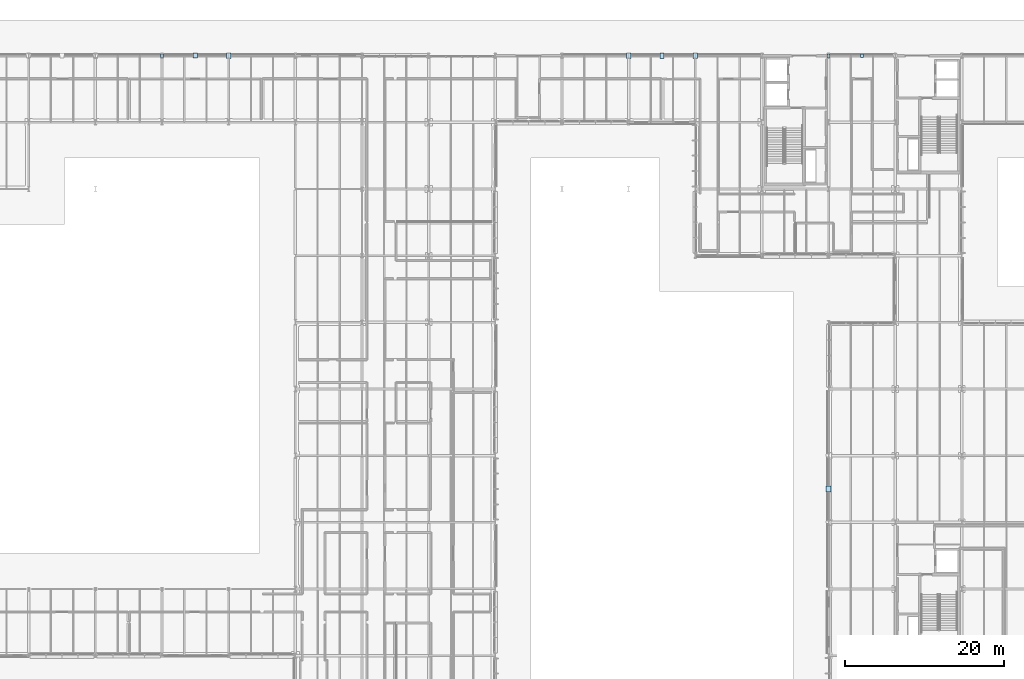
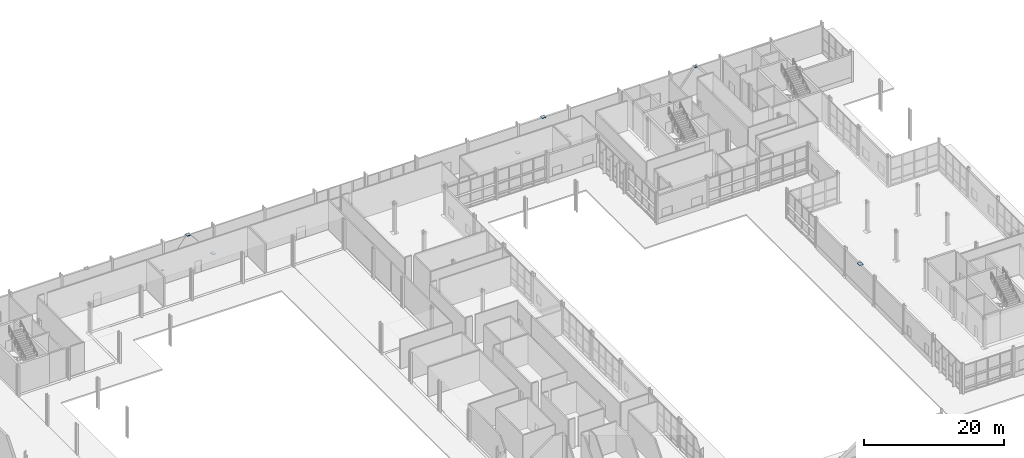
# One storey, part 81 of 124: 9 plates.
"""IFC4 building model written with IfcOpenShell, lengths in metres."""

import ifcopenshell
import ifcopenshell.guid

model = None  # the IFC model being written
_history = None  # IfcOwnerHistory: only IFC2X3 demands one
_inside = {}  # id of a spatial element -> (the spatial element, [elements in it])
_under = {}  # id of a project, library or spatial element -> (it, [spatial elements below it])
_declared = {}  # id of a project -> (the project, [libraries it declares])
_typed = {}  # id of a type object -> (the type object, [elements of that type])
_made_of = {}  # id of a material, layer set ... -> (it, [elements and type objects made of it])


def new_model(schema):
    """Start an empty IFC model of exactly this schema.

    Asked for "IFC4X3", IfcOpenShell would pick the latest addendum, in which some entities
    have other attributes; the version numbers below select the first issue.
    IFC2X3 requires an IfcOwnerHistory on every rooted entity: one is made here for all.
    """
    global model, _history
    if schema == "IFC4X3":
        model = ifcopenshell.file(schema_version=(4, 3, 0, 0))
    else:
        model = ifcopenshell.file(schema=schema)
    _inside.clear()
    _under.clear()
    _declared.clear()
    _typed.clear()
    _made_of.clear()
    _history = None
    if model.schema == "IFC2X3":
        org = make("IfcOrganization", Name="unknown")
        user = make(
            "IfcPersonAndOrganization",
            ThePerson=make("IfcPerson", FamilyName="unknown"),
            TheOrganization=org,
        )
        app = make(
            "IfcApplication",
            ApplicationDeveloper=org,
            Version="unknown",
            ApplicationFullName="unknown",
            ApplicationIdentifier="unknown",
        )
        _history = make(
            "IfcOwnerHistory",
            OwningUser=user,
            OwningApplication=app,
            ChangeAction="ADDED",
            CreationDate=0,
        )
    return model


def make(cls, **values):
    """One entity of the class cls with the attributes given. An attribute that is None is left unset."""
    return model.create_entity(
        cls, **{name: value for name, value in values.items() if value is not None}
    )


def rooted(cls, **values):
    """An entity with a GlobalId (a new one), such as an element, a storey or a relation."""
    return make(cls, GlobalId=ifcopenshell.guid.new(), OwnerHistory=_history, **values)


def si_unit(unit_type, name, prefix=None):
    """IfcSIUnit, for example si_unit("LENGTHUNIT", "METRE", prefix="MILLI")."""
    return make("IfcSIUnit", UnitType=unit_type, Prefix=prefix, Name=name)


def assignment(units):
    """IfcUnitAssignment: the units of a project."""
    return None if units is None else make("IfcUnitAssignment", Units=units)


def point(xyz):
    """IfcCartesianPoint."""
    return None if xyz is None else make("IfcCartesianPoint", Coordinates=xyz)


def direction(xyz):
    """IfcDirection."""
    return None if xyz is None else make("IfcDirection", DirectionRatios=xyz)


def frame(location, z_axis=None, x_axis=None):
    """IfcAxis2Placement3D, a coordinate frame: its origin and axes. An axis left out is left unset."""
    return make(
        "IfcAxis2Placement3D",
        Location=point(location),
        Axis=direction(z_axis),
        RefDirection=direction(x_axis),
    )


def frame_2d(location, x_axis=None):
    """IfcAxis2Placement2D, a coordinate frame in the plane: its origin and x axis."""
    return make(
        "IfcAxis2Placement2D", Location=point(location), RefDirection=direction(x_axis)
    )


def origin():
    """The frame at (0, 0, 0) with its axes left unset."""
    return frame((0.0, 0.0, 0.0))


def origin_2d():
    """The frame at (0, 0) in the plane with its x axis left unset."""
    return frame_2d((0.0, 0.0))


def place(relative_to, where):
    """IfcLocalPlacement: puts the frame where relative to a parent placement (None: the world)."""
    return make(
        "IfcLocalPlacement", PlacementRelTo=relative_to, RelativePlacement=where
    )


def context(
    kind, dimensions, precision=None, world=None, true_north=None, identifier=None
):
    """IfcGeometricRepresentationContext, for example the 3D "Model" context."""
    return make(
        "IfcGeometricRepresentationContext",
        ContextIdentifier=identifier,
        ContextType=kind,
        CoordinateSpaceDimension=dimensions,
        Precision=precision,
        WorldCoordinateSystem=world,
        TrueNorth=true_north,
    )


def subcontext(parent, identifier, kind, view, scale=None):
    """IfcGeometricRepresentationSubContext, for example "Body" below "Model"."""
    return make(
        "IfcGeometricRepresentationSubContext",
        ContextIdentifier=identifier,
        ContextType=kind,
        ParentContext=parent,
        TargetScale=scale,
        TargetView=view,
    )


def project(units=None, contexts=None):
    """IfcProject with its units and contexts."""
    return rooted(
        "IfcProject",
        Name="project",
        RepresentationContexts=contexts,
        UnitsInContext=assignment(units),
    )


def spatial(cls, under=None, at=None, **own):
    """A site, building, storey or space (cls), placed at a placement, below another one or the project."""
    s = rooted(cls, ObjectPlacement=at, **own)
    if under is not None:
        _under.setdefault(under.id(), (under, []))[1].append(s)
    return s


def profile(cls, at=None, kind="AREA", **sizes):
    """A parametric profile (cls). Its sizes go by their IFC names, for example OverallWidth=200.0."""
    return make(cls, ProfileType=kind, Position=at, **sizes)


def rectangle(**sizes):
    """IfcRectangleProfileDef."""
    return profile("IfcRectangleProfileDef", **sizes)


def extrude(swept, where, along, depth):
    """IfcExtrudedAreaSolid: the profile swept, set in the frame where, extruded along a direction by depth."""
    return make(
        "IfcExtrudedAreaSolid",
        SweptArea=swept,
        Position=where,
        ExtrudedDirection=direction(along),
        Depth=depth,
    )


def shape(context_of_items, identifier, shape_type, items):
    """IfcShapeRepresentation: the items that make up one representation, for example the "Body"."""
    return make(
        "IfcShapeRepresentation",
        ContextOfItems=context_of_items,
        RepresentationIdentifier=identifier,
        RepresentationType=shape_type,
        Items=items,
    )


def material(Name=None, Category=None):
    """IfcMaterial."""
    return make("IfcMaterial", Name=Name, Category=Category)


def layer(
    of_material, thickness, ventilated=None, Name=None, Category=None, Priority=None
):
    """IfcMaterialLayer: one layer of a wall or slab, of a material (None: an air gap)."""
    return make(
        "IfcMaterialLayer",
        Material=of_material,
        LayerThickness=thickness,
        IsVentilated=ventilated,
        Name=Name,
        Category=Category,
        Priority=Priority,
    )


def layer_set(layers, Name=None):
    """IfcMaterialLayerSet."""
    return make("IfcMaterialLayerSet", MaterialLayers=layers, LayerSetName=Name)


def made_of(thing, what):
    """Note that an element or type object is made of a material, layer set ...; save() writes the relation."""
    if what is not None:
        _made_of.setdefault(what.id(), (what, []))[1].append(thing)
    return thing


def type_object(cls, material=None, **own):
    """A type object (cls), such as IfcWallType, which elements share."""
    return made_of(rooted(cls, **own), material)


def element(
    cls,
    number,
    at=None,
    inside=None,
    cuts=None,
    type_object=None,
    material=None,
    context=None,
    identifier="Body",
    shape_type=None,
    held_by="IfcProductDefinitionShape",
    body=None,
    shapes=None,
    **own,
):
    """One element of the class cls, such as IfcWall. Its Tag is "e" and its number.

    at: its placement. inside: the storey or other place that contains it. cuts: it is an
    opening in that element (IfcRelVoidsElement). A single representation is given by context,
    identifier, shape_type and body (its items); several are given by shapes. held_by: the class
    of the entity that holds the representations. save() writes the other relations.
    """
    e = rooted(cls, Tag="e%d" % number, ObjectPlacement=at, **own)
    if body is not None:
        shapes = [shape(context, identifier, shape_type, body)]
    if shapes is not None:
        e.Representation = make(held_by, Representations=shapes)
    if inside is not None:
        _inside.setdefault(inside.id(), (inside, []))[1].append(e)
    if cuts is not None:
        rooted(
            "IfcRelVoidsElement", RelatingBuildingElement=cuts, RelatedOpeningElement=e
        )
    if type_object is not None:
        _typed.setdefault(type_object.id(), (type_object, []))[1].append(e)
    return made_of(e, material)


def aggregate(whole, parts):
    """IfcRelAggregates: a whole, such as a stair, and the parts it consists of."""
    return rooted("IfcRelAggregates", RelatingObject=whole, RelatedObjects=parts)


def save(model, path):
    """Write the relations noted so far, then the file.

    IfcRelAggregates (storeys below a building ...), IfcRelContainedInSpatialStructure (elements
    in a storey), IfcRelDefinesByType, IfcRelAssociatesMaterial and IfcRelDeclares: one each for
    every whole, place, type object, material and project.
    """
    for whole, parts in _under.values():
        aggregate(whole, parts)
    for where, things in _inside.values():
        rooted(
            "IfcRelContainedInSpatialStructure",
            RelatedElements=things,
            RelatingStructure=where,
        )
    for kind, things in _typed.values():
        rooted("IfcRelDefinesByType", RelatedObjects=things, RelatingType=kind)
    for what, things in _made_of.values():
        rooted("IfcRelAssociatesMaterial", RelatedObjects=things, RelatingMaterial=what)
    for by, libraries in _declared.values():
        rooted("IfcRelDeclares", RelatingContext=by, RelatedDefinitions=libraries)
    model.write(path)


model = new_model("IFC4")

# Units and contexts
model_context = context("Model", 3, precision=1e-05, world=origin(), true_north=direction((0.0, 1.0)))
body_context = subcontext(model_context, "Body", "Model", "MODEL_VIEW")
ifc_project = project(units=[si_unit("LENGTHUNIT", "METRE"), si_unit("AREAUNIT", "SQUARE_METRE"), si_unit("VOLUMEUNIT", "CUBIC_METRE"), si_unit("PLANEANGLEUNIT", "RADIAN"), si_unit("MASSUNIT", "GRAM", prefix="KILO")], contexts=[model_context])

# Site, building, storey
site_placement = place(None, origin())
site = spatial("IfcSite", under=ifc_project, at=site_placement, CompositionType="ELEMENT")
building_placement = place(site_placement, origin())
building = spatial("IfcBuilding", under=site, at=building_placement, Name="Mersafa Astral City Hall", CompositionType="ELEMENT")
storey_placement = place(building_placement, origin())
storey = spatial("IfcBuildingStorey", under=building, at=storey_placement, Name="L00", CompositionType="ELEMENT", Elevation=0.0)

# Plates
ifc_material = material(Name="Steel S355", Category="steel")
ifc_layer_1 = layer(ifc_material, 0.013916015625, Name="Steel S355")
ifc_layer_set_1 = layer_set([ifc_layer_1], Name="Steel S355 — STR-PLT-NP-1")
plate_type_1 = type_object("IfcPlateType", Name="STR-PLT-NP-1", PredefinedType="SHEET", material=ifc_layer_set_1)
plate_1_placement = place(storey_placement, frame((75.597900390625, 126.0, 0.11328125), z_axis=(0.0, 0.0, 1.0), x_axis=(1.0, 0.0, 0.0)))
element("IfcPlate", 1, at=plate_1_placement, inside=storey, type_object=plate_type_1, Name="L00 Structural steel brace gusset plate NP-1", PredefinedType="SHEET", context=body_context, shape_type="SweptSolid", body=[
    extrude(rectangle(XDim=0.360107421875, YDim=0.39990234375, at=origin_2d()), origin(), (0.0, 0.0, 1.0), 0.013916015625),
])
ifc_layer_2 = layer(ifc_material, 0.02294921875, Name="Steel S355")
ifc_layer_set_2 = layer_set([ifc_layer_2], Name="Steel S355 — STR-PLT-NP-10")
plate_type_2 = type_object("IfcPlateType", Name="STR-PLT-NP-10", PredefinedType="SHEET", material=ifc_layer_set_2)
plate_2_placement = place(storey_placement, frame((84.001953125, 126.0, 0.108642578125), z_axis=(0.0, 0.0, 1.0), x_axis=(1.0, 0.0, 0.0)))
element("IfcPlate", 2, at=plate_2_placement, inside=storey, type_object=plate_type_2, Name="L00 Structural steel brace gusset plate NP-10", PredefinedType="SHEET", context=body_context, shape_type="SweptSolid", body=[
    extrude(rectangle(XDim=0.5849609375, YDim=0.669921875, at=origin_2d()), origin(), (0.0, 0.0, 1.0), 0.02294921875),
])
ifc_layer_3 = layer(ifc_material, 0.02490234375, Name="Steel S355")
ifc_layer_set_3 = layer_set([ifc_layer_3], Name="Steel S355 — STR-PLT-NP-12")
plate_type_3 = type_object("IfcPlateType", Name="STR-PLT-NP-12", PredefinedType="SHEET", material=ifc_layer_set_3)
plate_3_placement = place(storey_placement, frame((159.60009765625, 71.39990234375, 4.902587890625), z_axis=(0.0, 0.0, 1.0), x_axis=(1.0, 0.0, 0.0)))
element("IfcPlate", 3, at=plate_3_placement, inside=storey, type_object=plate_type_3, Name="L00 Structural steel brace gusset plate NP-12", PredefinedType="SHEET", context=body_context, shape_type="SweptSolid", body=[
    extrude(rectangle(XDim=0.635009765625, YDim=0.72998046875, at=origin_2d()), origin(), (0.0, 0.0, 1.0), 0.02490234375),
])
ifc_layer_4 = layer(ifc_material, 0.031982421875, Name="Steel S355")
ifc_layer_set_4 = layer_set([ifc_layer_4], Name="Steel S355 — STR-PLT-NP-19")
plate_type_4 = type_object("IfcPlateType", Name="STR-PLT-NP-19", PredefinedType="SHEET", material=ifc_layer_set_4)
plate_4_placement = place(storey_placement, frame((163.800048828125, 126.0, 4.80908203125), z_axis=(0.0, 0.0, 1.0), x_axis=(1.0, 0.0, 0.0)))
element("IfcPlate", 4, at=plate_4_placement, inside=storey, type_object=plate_type_4, Name="L00 Structural steel brace gusset plate NP-19", PredefinedType="SHEET", context=body_context, shape_type="SweptSolid", body=[
    extrude(rectangle(XDim=0.385009765625, YDim=0.47998046875, at=origin_2d()), origin(), (0.0, 0.0, 1.0), 0.031982421875),
])
ifc_layer_5 = layer(ifc_material, 0.014892578125, Name="Steel S355")
ifc_layer_set_5 = layer_set([ifc_layer_5], Name="Steel S355 — STR-PLT-NP-2")
plate_type_5 = type_object("IfcPlateType", Name="STR-PLT-NP-2", PredefinedType="SHEET", material=ifc_layer_set_5)
plate_5_placement = place(storey_placement, frame((159.597900390625, 126.0, 0.11279296875), z_axis=(0.0, 0.0, 1.0), x_axis=(1.0, 0.0, 0.0)))
element("IfcPlate", 5, at=plate_5_placement, inside=storey, type_object=plate_type_5, Name="L00 Structural steel brace gusset plate NP-2", PredefinedType="SHEET", context=body_context, shape_type="SweptSolid", body=[
    extrude(rectangle(XDim=0.385009765625, YDim=0.429931640625, at=origin_2d()), origin(), (0.0, 0.0, 1.0), 0.014892578125),
])
ifc_layer_6 = layer(ifc_material, 0.01806640625, Name="Steel S355")
ifc_layer_set_6 = layer_set([ifc_layer_6], Name="Steel S355 — STR-PLT-NP-25")
plate_type_6 = type_object("IfcPlateType", Name="STR-PLT-NP-25", PredefinedType="SHEET", material=ifc_layer_set_6)
plate_6_placement = place(storey_placement, frame((138.60009765625, 126.0, 4.845947265625), z_axis=(0.0, 0.0, 1.0), x_axis=(1.0, 0.0, 0.0)))
element("IfcPlate", 6, at=plate_6_placement, inside=storey, type_object=plate_type_6, Name="L00 Structural steel brace gusset plate NP-25", PredefinedType="SHEET", context=body_context, shape_type="SweptSolid", body=[
    extrude(rectangle(XDim=0.534912109375, YDim=0.659912109375, at=origin_2d()), origin(), (0.0, 0.0, 1.0), 0.01806640625),
])
ifc_layer_7 = layer(ifc_material, 0.01904296875, Name="Steel S355")
ifc_layer_set_7 = layer_set([ifc_layer_7], Name="Steel S355 — STR-PLT-NP-26")
plate_type_7 = type_object("IfcPlateType", Name="STR-PLT-NP-26", PredefinedType="SHEET", material=ifc_layer_set_7)
plate_7_placement = place(storey_placement, frame((134.39794921875, 126.0, 0.110595703125), z_axis=(0.0, 0.0, 1.0), x_axis=(1.0, 0.0, 0.0)))
element("IfcPlate", 7, at=plate_7_placement, inside=storey, type_object=plate_type_7, Name="L00 Structural steel brace gusset plate NP-26", PredefinedType="SHEET", context=body_context, shape_type="SweptSolid", body=[
    extrude(rectangle(XDim=0.56005859375, YDim=0.68994140625, at=origin_2d()), origin(), (0.0, 0.0, 1.0), 0.01904296875),
])
ifc_layer_8 = layer(ifc_material, 0.02001953125, Name="Steel S355")
ifc_layer_set_8 = layer_set([ifc_layer_8], Name="Steel S355 — STR-PLT-NP-27")
plate_type_8 = type_object("IfcPlateType", Name="STR-PLT-NP-27", PredefinedType="SHEET", material=ifc_layer_set_8)
plate_8_placement = place(storey_placement, frame((142.802001953125, 126.0, 0.110107421875), z_axis=(0.0, 0.0, 1.0), x_axis=(1.0, 0.0, 0.0)))
element("IfcPlate", 8, at=plate_8_placement, inside=storey, type_object=plate_type_8, Name="L00 Structural steel brace gusset plate NP-27", PredefinedType="SHEET", context=body_context, shape_type="SweptSolid", body=[
    extrude(rectangle(XDim=0.5849609375, YDim=0.719970703125, at=origin_2d()), origin(), (0.0, 0.0, 1.0), 0.02001953125),
])
ifc_layer_9 = layer(ifc_material, 0.02197265625, Name="Steel S355")
ifc_layer_set_9 = layer_set([ifc_layer_9], Name="Steel S355 — STR-PLT-NP-9")
plate_type_9 = type_object("IfcPlateType", Name="STR-PLT-NP-9", PredefinedType="SHEET", material=ifc_layer_set_9)
plate_9_placement = place(storey_placement, frame((79.800048828125, 126.0, 4.81396484375), z_axis=(0.0, 0.0, 1.0), x_axis=(1.0, 0.0, 0.0)))
element("IfcPlate", 9, at=plate_9_placement, inside=storey, type_object=plate_type_9, Name="L00 Structural steel brace gusset plate NP-9", PredefinedType="SHEET", context=body_context, shape_type="SweptSolid", body=[
    extrude(rectangle(XDim=0.56005859375, YDim=0.639892578125, at=origin_2d()), origin(), (0.0, 0.0, 1.0), 0.02197265625),
])

save(model, "model.ifc")
